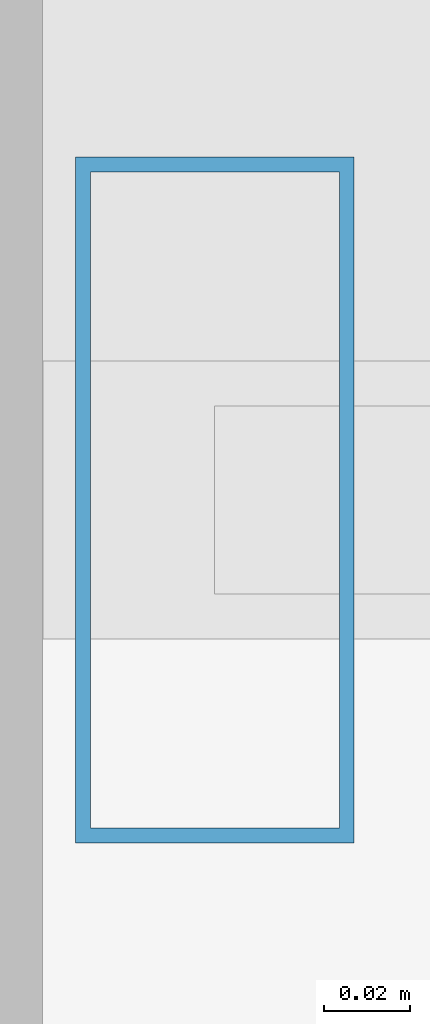
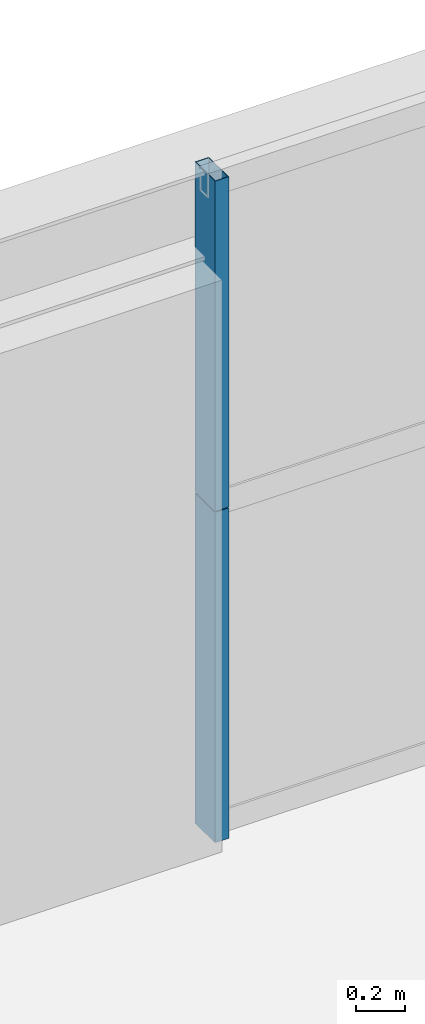
# One storey, part 29 of 42: 2 members, 1 element without a shape of its own.
"""IFC4 building model written with IfcOpenShell, lengths in metres."""

from ifc_helpers import new_model, si_unit, direction, frame, origin, origin_2d, place, context, subcontext, project, spatial, hollow_rectangle, extrude, source, transform, mapped, material, layer, layer_set, material_profile, profile_set, type_object, element, aggregate, save


model = new_model("IFC4")

# Units and contexts
model_context = context("Model", 3, precision=1e-05, world=origin(), true_north=direction((0.0, 1.0)))
body_context = subcontext(model_context, "Body", "Model", "MODEL_VIEW")
ifc_project = project(units=[si_unit("LENGTHUNIT", "METRE"), si_unit("AREAUNIT", "SQUARE_METRE"), si_unit("VOLUMEUNIT", "CUBIC_METRE"), si_unit("PLANEANGLEUNIT", "RADIAN"), si_unit("MASSUNIT", "GRAM", prefix="KILO"), si_unit("THERMODYNAMICTEMPERATUREUNIT", "KELVIN"), si_unit("POWERUNIT", "WATT")], contexts=[model_context])

# Site, building, storey
site_placement = place(None, origin())
site = spatial("IfcSite", under=ifc_project, at=site_placement, CompositionType="ELEMENT")
building_placement = place(site_placement, origin())
building = spatial("IfcBuilding", under=site, at=building_placement, Name="Yuzanri Waterfront Tower", CompositionType="ELEMENT")
storey_placement = place(building_placement, frame((0.0, 0.0, 184.5)))
storey = spatial("IfcBuildingStorey", under=building, at=storey_placement, Name="L48", CompositionType="ELEMENT", Elevation=184.5)

# Curtain wall, members
ifc_material_1 = material(Name="Anodized Architectural Bronze", Category="metal")
ifc_layer = layer(ifc_material_1, 0.159912109375)
ifc_layer_set = layer_set([ifc_layer], Name="Anodized Architectural Bronze")
curtain_wall_type = type_object("IfcCurtainWallType", Name="Anodized Bronze Mid-Rise Residential Acoustic Unitized Curtain Wall 7200", PredefinedType="NOTDEFINED", material=ifc_layer_set)
curtain_wall_placement = place(storey_placement, origin())
curtain_wall = element("IfcCurtainWall", 1, at=curtain_wall_placement, inside=storey, type_object=curtain_wall_type, Name="L48 Curtain Wall CW-L48-NL", PredefinedType="NOTDEFINED")
ifc_material_2 = material(Name="Anodized Architectural Bronze", Category="metal")
ifc_material_profile = material_profile(ifc_material_2, hollow_rectangle(XDim=0.06494140625, YDim=0.159912109375, WallThickness=0.00341796875, at=origin_2d()), Name="CWM 65x160")
ifc_profile_set = profile_set([ifc_material_profile], Name="Anodized Architectural Bronze")
member_type = type_object("IfcMemberType", Name="Anodized Bronze Upper-Zone Curtain-Wall Mullion 65x160", PredefinedType="MULLION", material=ifc_profile_set)
shared_shape = source(origin(), body_context, "Body", "SweptSolid", [
    extrude(hollow_rectangle(XDim=0.06494140625, YDim=0.159912109375, WallThickness=0.00341796875, at=origin_2d()), origin(), (0.0, 0.0, 1.0), 1.637939453125),
])
member_1_placement = place(storey_placement, frame((22.2900390625, 47.75, 0.0), z_axis=(0.0, 0.0, 1.0), x_axis=(1.0, 0.0, 0.0)))
member_1 = element("IfcMember", 2, at=member_1_placement, type_object=member_type, Name="CW-L48-NL Lower Mullion 00", PredefinedType="MULLION", context=body_context, shape_type="MappedRepresentation", body=[
    mapped(shared_shape, transform((0.0, 0.0, 0.0), scale=1.0)),
])
member_2_placement = place(storey_placement, frame((22.2900390625, 47.75, 1.64208984375), z_axis=(0.0, 0.0, 1.0), x_axis=(1.0, 0.0, 0.0)))
member_2 = element("IfcMember", 3, at=member_2_placement, type_object=member_type, Name="CW-L48-NL Upper Mullion 00", PredefinedType="MULLION", context=body_context, shape_type="MappedRepresentation", body=[
    mapped(shared_shape, transform((0.0, 0.0, 0.0), scale=1.0)),
])
aggregate(curtain_wall, [member_1, member_2])

save(model, "model.ifc")
